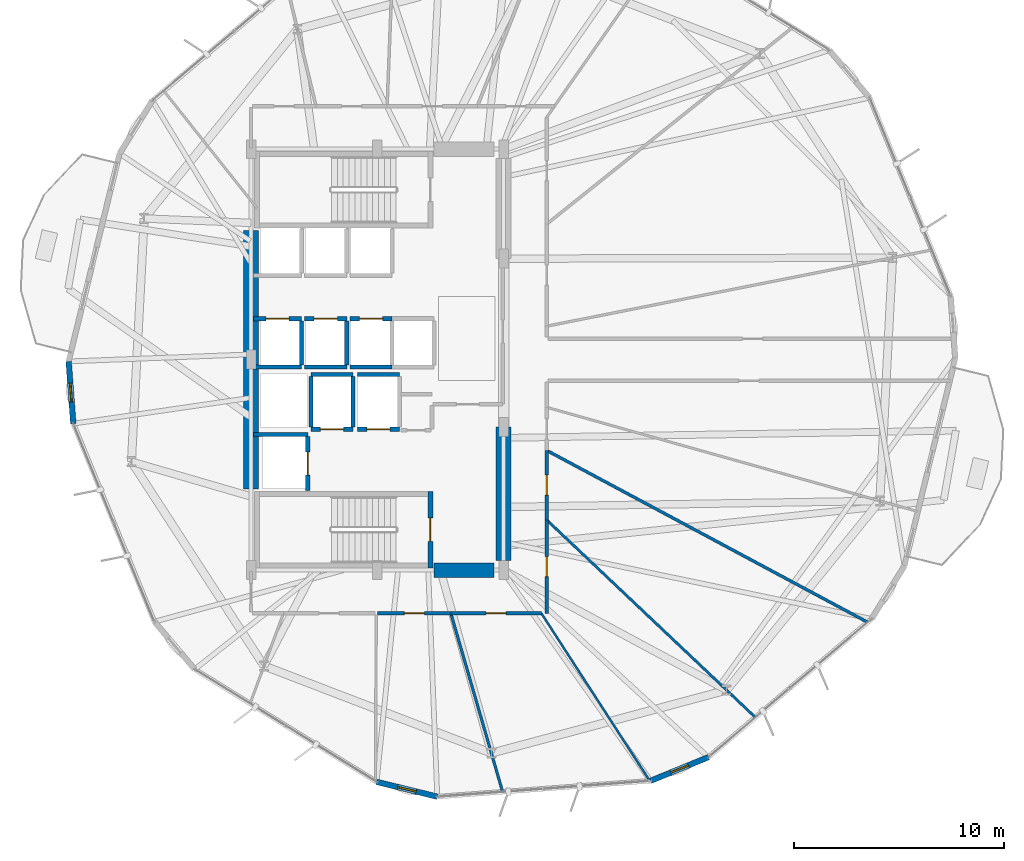
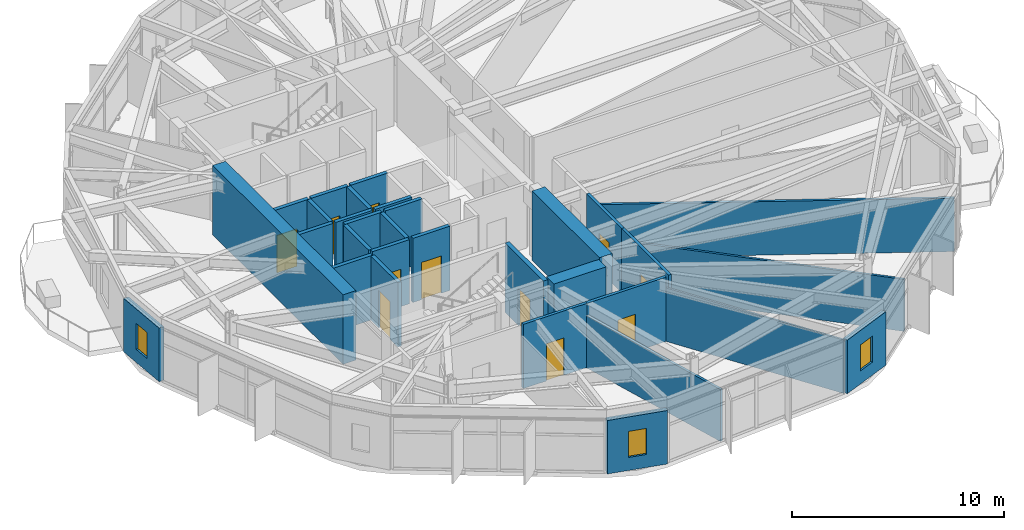
# One storey, part 16 of 22: 31 walls, 11 doors, 3 windows, 14 openings.
"""IFC4 building model written with IfcOpenShell, lengths in metres."""

from ifc_helpers import new_model, si_unit, direction, frame, frame_2d, origin, place, context, subcontext, project, spatial, rectangle, extrude, material, layer, layer_set, type_object, element, fill, save


model = new_model("IFC4")

# Units and contexts
model_context = context("Model", 3, precision=1e-05, world=origin(), true_north=direction((0.0, 1.0)))
body_context = subcontext(model_context, "Body", "Model", "MODEL_VIEW")
ifc_project = project(units=[si_unit("LENGTHUNIT", "METRE"), si_unit("AREAUNIT", "SQUARE_METRE"), si_unit("VOLUMEUNIT", "CUBIC_METRE"), si_unit("PLANEANGLEUNIT", "RADIAN"), si_unit("MASSUNIT", "GRAM", prefix="KILO")], contexts=[model_context])

# Site, building, storey
site_placement = place(None, origin())
site = spatial("IfcSite", under=ifc_project, at=site_placement, CompositionType="ELEMENT")
building_placement = place(site_placement, origin())
building = spatial("IfcBuilding", under=site, at=building_placement, Name="Soratama Intermodal Tower", CompositionType="ELEMENT")
storey_placement = place(building_placement, frame((0.0, 0.0, 46.60009765625)))
storey = spatial("IfcBuildingStorey", under=building, at=storey_placement, Name="L10", CompositionType="ELEMENT", Elevation=46.60009765625)

# Wall, opening, window
ifc_material_1 = material(Name="Concrete f'c 42 MPa", Category="concrete")
ifc_layer_1 = layer(ifc_material_1, 0.27001953125)
ifc_layer_set_1 = layer_set([ifc_layer_1], Name="Concrete f'c 42 MPa")
wall_type_1 = type_object("IfcWallType", Name="EW-CRN-270", PredefinedType="SOLIDWALL", material=ifc_layer_set_1)
wall_1_placement = place(storey_placement, frame((23.93505859375, 24.918212890625, 0.0), z_axis=(0.0, 0.0, 1.0), x_axis=(0.074317313224, -0.997234644883, 0.0)))
wall_1 = element("IfcWall", 1, at=wall_1_placement, inside=storey, type_object=wall_type_1, Name="L10 Corner Closure Wall 05", PredefinedType="SOLIDWALL", context=body_context, shape_type="SweptSolid", body=[
    extrude(rectangle(XDim=2.966552734375, YDim=0.27001953125, at=frame_2d((1.4833984375, 0.0))), origin(), (0.0, 0.0, 1.0), 3.078857421875),
])
opening_1_placement = place(wall_1_placement, frame((1.033203125, 0.0, 0.75)))
opening_1 = element("IfcOpeningElement", 2, at=opening_1_placement, cuts=wall_1, Name="Opening WN-6", PredefinedType="OPENING", context=body_context, shape_type="SweptSolid", body=[
    extrude(rectangle(XDim=0.89990234375, YDim=1.5, at=frame_2d((0.449951171875, 0.75))), frame((0.0, 0.14501953125, 0.0), z_axis=(0.0, -1.0, 0.0), x_axis=(1.0, 0.0, 0.0)), (0.0, 0.0, 1.0), 0.2900390625),
])
ifc_material_2 = material(Name="Double-glazed aluminium window", Category="aluminium")
window_type = type_object("IfcWindowType", Name="WN-FAC-900", PartitioningType="SINGLE_PANEL", PredefinedType="WINDOW", material=ifc_material_2)
window_1_placement = place(opening_1_placement, origin())
window_1 = element("IfcWindow", 3, at=window_1_placement, inside=storey, type_object=window_type, Name="L10 Corner Window 05", OverallHeight=1.5, OverallWidth=0.89990234375, PartitioningType="SINGLE_PANEL", PredefinedType="WINDOW", context=body_context, shape_type="SweptSolid", body=[
    extrude(rectangle(XDim=0.89990234375, YDim=1.5, at=frame_2d((0.449951171875, 0.75))), frame((0.0, 0.030029296875, 0.0), z_axis=(0.0, -1.0, 0.0), x_axis=(1.0, 0.0, 0.0)), (0.0, 0.0, 1.0), 0.06005859375),
])
fill(opening_1, window_1)

wall_2_placement = place(storey_placement, frame((38.568359375, 4.94091796875, 0.0), z_axis=(0.0, 0.0, 1.0), x_axis=(0.971383395834, -0.237516943182, 0.0)))
wall_2 = element("IfcWall", 4, at=wall_2_placement, inside=storey, type_object=wall_type_1, Name="L10 Corner Closure Wall 07", PredefinedType="SOLIDWALL", context=body_context, shape_type="SweptSolid", body=[
    extrude(rectangle(XDim=2.966552734375, YDim=0.27001953125, at=frame_2d((1.4833984375, 0.0))), origin(), (0.0, 0.0, 1.0), 3.078857421875),
])
opening_2_placement = place(wall_2_placement, frame((1.033203125, 0.0, 0.75)))
opening_2 = element("IfcOpeningElement", 5, at=opening_2_placement, cuts=wall_2, Name="Opening WN-6", PredefinedType="OPENING", context=body_context, shape_type="SweptSolid", body=[
    extrude(rectangle(XDim=0.89990234375, YDim=1.5, at=frame_2d((0.449951171875, 0.75))), frame((0.0, 0.14501953125, 0.0), z_axis=(0.0, -1.0, 0.0), x_axis=(1.0, 0.0, 0.0)), (0.0, 0.0, 1.0), 0.2900390625),
])
window_2_placement = place(opening_2_placement, origin())
window_2 = element("IfcWindow", 6, at=window_2_placement, inside=storey, type_object=window_type, Name="L10 Corner Window 07", OverallHeight=1.5, OverallWidth=0.89990234375, PartitioningType="SINGLE_PANEL", PredefinedType="WINDOW", context=body_context, shape_type="SweptSolid", body=[
    extrude(rectangle(XDim=0.89990234375, YDim=1.5, at=frame_2d((0.449951171875, 0.75))), frame((0.0, 0.030029296875, 0.0), z_axis=(0.0, -1.0, 0.0), x_axis=(1.0, 0.0, 0.0)), (0.0, 0.0, 1.0), 0.06005859375),
])
fill(opening_2, window_2)

wall_3_placement = place(storey_placement, frame((51.587158203125, 4.991455078125, 0.0), z_axis=(0.0, 0.0, 1.0), x_axis=(0.925495818017, 0.378757826102, 0.0)))
wall_3 = element("IfcWall", 7, at=wall_3_placement, inside=storey, type_object=wall_type_1, Name="L10 Corner Closure Wall 08", PredefinedType="SOLIDWALL", context=body_context, shape_type="SweptSolid", body=[
    extrude(rectangle(XDim=2.96630859375, YDim=0.27001953125, at=frame_2d((1.483154296875, 0.0))), origin(), (0.0, 0.0, 1.0), 3.078857421875),
])
opening_3_placement = place(wall_3_placement, frame((1.033203125, 0.0, 0.75)))
opening_3 = element("IfcOpeningElement", 8, at=opening_3_placement, cuts=wall_3, Name="Opening WN-6", PredefinedType="OPENING", context=body_context, shape_type="SweptSolid", body=[
    extrude(rectangle(XDim=0.89990234375, YDim=1.5, at=frame_2d((0.449951171875, 0.75))), frame((0.0, 0.14501953125, 0.0), z_axis=(0.0, -1.0, 0.0), x_axis=(1.0, 0.0, 0.0)), (0.0, 0.0, 1.0), 0.2900390625),
])
window_3_placement = place(opening_3_placement, origin())
window_3 = element("IfcWindow", 9, at=window_3_placement, inside=storey, type_object=window_type, Name="L10 Corner Window 08", OverallHeight=1.5, OverallWidth=0.89990234375, PartitioningType="SINGLE_PANEL", PredefinedType="WINDOW", context=body_context, shape_type="SweptSolid", body=[
    extrude(rectangle(XDim=0.89990234375, YDim=1.5, at=frame_2d((0.449951171875, 0.75))), frame((0.0, 0.030029296875, 0.0), z_axis=(0.0, -1.0, 0.0), x_axis=(1.0, 0.0, 0.0)), (0.0, 0.0, 1.0), 0.06005859375),
])
fill(opening_3, window_3)

# Wall, opening, door
ifc_material_3 = material(Name="Fire-rated gypsum stud partition", Category="concrete")
ifc_layer_2 = layer(ifc_material_3, 0.159912109375)
ifc_layer_set_2 = layer_set([ifc_layer_2], Name="Fire-rated gypsum stud partition")
wall_type_2 = type_object("IfcWallType", Name="IW-PART-R160", PredefinedType="PARTITIONING", material=ifc_layer_set_2)
wall_4_placement = place(storey_placement, frame((46.64990234375, 17.385009765625, 0.0), z_axis=(0.0, 0.0, 1.0), x_axis=(0.0, -1.0, 0.0)))
wall_4 = element("IfcWall", 10, at=wall_4_placement, inside=storey, type_object=wall_type_2, Name="L10 Partition W-L10-TP020", PredefinedType="PARTITIONING", context=body_context, shape_type="SweptSolid", body=[
    extrude(rectangle(XDim=4.43505859375, YDim=0.159912109375, at=frame_2d((2.217529296875, 0.0))), origin(), (0.0, 0.0, 1.0), 3.699951171875),
])
opening_4_placement = place(wall_4_placement, frame((1.742919921875, 0.0, 0.0)))
opening_4 = element("IfcOpeningElement", 11, at=opening_4_placement, cuts=wall_4, Name="Opening ID-3", PredefinedType="OPENING", context=body_context, shape_type="SweptSolid", body=[
    extrude(rectangle(XDim=0.949951171875, YDim=2.14990234375, at=frame_2d((0.47509765625, 1.074951171875))), frame((0.0, 0.08984375, 0.0), z_axis=(0.0, -1.0, 0.0), x_axis=(1.0, 0.0, 0.0)), (0.0, 0.0, 1.0), 0.179931640625),
])
ifc_material_4 = material(Name="Solid hardwood acoustic door", Category="wood")
door_type_1 = type_object("IfcDoorType", Name="DR-ROOM-950", OperationType="NOTDEFINED", PredefinedType="DOOR", material=ifc_material_4)
door_1_placement = place(opening_4_placement, origin())
door_1 = element("IfcDoor", 12, at=door_1_placement, inside=storey, type_object=door_type_1, Name="L10 Door D-L10-TP006", OperationType="SINGLE_SWING_LEFT", OverallHeight=2.14990234375, OverallWidth=0.949951171875, PredefinedType="DOOR", context=body_context, shape_type="SweptSolid", body=[
    extrude(rectangle(XDim=0.949951171875, YDim=2.14990234375, at=frame_2d((0.47509765625, 1.074951171875))), frame((0.0, 0.02490234375, 0.0), z_axis=(0.0, -1.0, 0.0), x_axis=(1.0, 0.0, 0.0)), (0.0, 0.0, 1.0), 0.050048828125),
])
fill(opening_4, door_1)

wall_5_placement = place(storey_placement, frame((46.39501953125, 12.949951171875, 0.0), z_axis=(0.0, 0.0, 1.0), x_axis=(-1.0, 0.0, 0.0)))
wall_5 = element("IfcWall", 13, at=wall_5_placement, inside=storey, type_object=wall_type_2, Name="L10 Partition W-L10-TP022", PredefinedType="PARTITIONING", context=body_context, shape_type="SweptSolid", body=[
    extrude(rectangle(XDim=4.301025390625, YDim=0.159912109375, at=frame_2d((2.150390625, 0.0))), origin(), (0.0, 0.0, 1.0), 3.699951171875),
])
opening_5_placement = place(wall_5_placement, frame((1.676025390625, 0.0, 0.0)))
opening_5 = element("IfcOpeningElement", 14, at=opening_5_placement, cuts=wall_5, Name="Opening ID-3", PredefinedType="OPENING", context=body_context, shape_type="SweptSolid", body=[
    extrude(rectangle(XDim=0.949951171875, YDim=2.14990234375, at=frame_2d((0.47509765625, 1.074951171875))), frame((0.0, 0.08984375, 0.0), z_axis=(0.0, -1.0, 0.0), x_axis=(1.0, 0.0, 0.0)), (0.0, 0.0, 1.0), 0.179931640625),
])
door_2_placement = place(opening_5_placement, origin())
door_2 = element("IfcDoor", 15, at=door_2_placement, inside=storey, type_object=door_type_1, Name="L10 Door D-L10-TP008", OperationType="SINGLE_SWING_LEFT", OverallHeight=2.14990234375, OverallWidth=0.949951171875, PredefinedType="DOOR", context=body_context, shape_type="SweptSolid", body=[
    extrude(rectangle(XDim=0.949951171875, YDim=2.14990234375, at=frame_2d((0.47509765625, 1.074951171875))), frame((0.0, 0.02490234375, 0.0), z_axis=(0.0, -1.0, 0.0), x_axis=(1.0, 0.0, 0.0)), (0.0, 0.0, 1.0), 0.050048828125),
])
fill(opening_5, door_2)

wall_6_placement = place(storey_placement, frame((42.093994140625, 12.949951171875, 0.0), z_axis=(0.0, 0.0, 1.0), x_axis=(-1.0, 0.0, 0.0)))
wall_6 = element("IfcWall", 16, at=wall_6_placement, inside=storey, type_object=wall_type_2, Name="L10 Partition W-L10-TP025", PredefinedType="PARTITIONING", context=body_context, shape_type="SweptSolid", body=[
    extrude(rectangle(XDim=3.47509765625, YDim=0.159912109375, at=frame_2d((1.737548828125, 0.0))), origin(), (0.0, 0.0, 1.0), 3.699951171875),
])
opening_6_placement = place(wall_6_placement, frame((1.262939453125, 0.0, 0.0)))
opening_6 = element("IfcOpeningElement", 17, at=opening_6_placement, cuts=wall_6, Name="Opening ID-3", PredefinedType="OPENING", context=body_context, shape_type="SweptSolid", body=[
    extrude(rectangle(XDim=0.949951171875, YDim=2.14990234375, at=frame_2d((0.47509765625, 1.074951171875))), frame((0.0, 0.08984375, 0.0), z_axis=(0.0, -1.0, 0.0), x_axis=(1.0, 0.0, 0.0)), (0.0, 0.0, 1.0), 0.179931640625),
])
door_3_placement = place(opening_6_placement, origin())
door_3 = element("IfcDoor", 18, at=door_3_placement, inside=storey, type_object=door_type_1, Name="L10 Door D-L10-TP011", OperationType="SINGLE_SWING_RIGHT", OverallHeight=2.14990234375, OverallWidth=0.949951171875, PredefinedType="DOOR", context=body_context, shape_type="SweptSolid", body=[
    extrude(rectangle(XDim=0.949951171875, YDim=2.14990234375, at=frame_2d((0.47509765625, 1.074951171875))), frame((0.0, 0.02490234375, 0.0), z_axis=(0.0, -1.0, 0.0), x_axis=(1.0, 0.0, 0.0)), (0.0, 0.0, 1.0), 0.050048828125),
])
fill(opening_6, door_3)

wall_7_placement = place(storey_placement, frame((46.64990234375, 20.68896484375, 0.0), z_axis=(0.0, 0.0, 1.0), x_axis=(0.0, -1.0, 0.0)))
wall_7 = element("IfcWall", 19, at=wall_7_placement, inside=storey, type_object=wall_type_2, Name="L10 Partition W-L10-TP028", PredefinedType="PARTITIONING", context=body_context, shape_type="SweptSolid", body=[
    extrude(rectangle(XDim=3.303955078125, YDim=0.159912109375, at=frame_2d((1.65185546875, 0.0))), origin(), (0.0, 0.0, 1.0), 3.699951171875),
])
opening_7_placement = place(wall_7_placement, frame((1.177001953125, 0.0, 0.0)))
opening_7 = element("IfcOpeningElement", 20, at=opening_7_placement, cuts=wall_7, Name="Opening ID-3", PredefinedType="OPENING", context=body_context, shape_type="SweptSolid", body=[
    extrude(rectangle(XDim=0.949951171875, YDim=2.14990234375, at=frame_2d((0.47509765625, 1.074951171875))), frame((0.0, 0.08984375, 0.0), z_axis=(0.0, -1.0, 0.0), x_axis=(1.0, 0.0, 0.0)), (0.0, 0.0, 1.0), 0.179931640625),
])
door_4_placement = place(opening_7_placement, origin())
door_4 = element("IfcDoor", 21, at=door_4_placement, inside=storey, type_object=door_type_1, Name="L10 Door D-L10-TP014", OperationType="SINGLE_SWING_LEFT", OverallHeight=2.14990234375, OverallWidth=0.949951171875, PredefinedType="DOOR", context=body_context, shape_type="SweptSolid", body=[
    extrude(rectangle(XDim=0.949951171875, YDim=2.14990234375, at=frame_2d((0.47509765625, 1.074951171875))), frame((0.0, 0.02490234375, 0.0), z_axis=(0.0, -1.0, 0.0), x_axis=(1.0, 0.0, 0.0)), (0.0, 0.0, 1.0), 0.050048828125),
])
fill(opening_7, door_4)

# Walls
ifc_material_5 = material(Name="Fire-rated gypsum stud partition", Category="concrete")
ifc_layer_3 = layer(ifc_material_5, 0.10009765625)
ifc_layer_set_3 = layer_set([ifc_layer_3], Name="Fire-rated gypsum stud partition")
wall_type_3 = type_object("IfcWallType", Name="IW-PART-S100", PredefinedType="PARTITIONING", material=ifc_layer_set_3)
wall_8_placement = place(storey_placement, frame((46.39501953125, 12.949951171875, 0.0), z_axis=(0.0, 0.0, 1.0), x_axis=(0.543180821192, -0.839615742759, 0.0)))
element("IfcWall", 22, at=wall_8_placement, inside=storey, type_object=wall_type_3, Name="L10 Partition W-L10-TP009", PredefinedType="PARTITIONING", context=body_context, shape_type="SweptSolid", body=[
    extrude(rectangle(XDim=9.48291015625, YDim=0.10009765625, at=frame_2d((4.741455078125, 0.0))), origin(), (0.0, 0.0, 1.0), 3.077880859375),
])
ifc_material_6 = material(Name="Fire-rated gypsum stud partition", Category="concrete")
ifc_layer_4 = layer(ifc_material_6, 0.1201171875)
ifc_layer_set_4 = layer_set([ifc_layer_4], Name="Fire-rated gypsum stud partition")
wall_type_4 = type_object("IfcWallType", Name="IW-PART-S120", PredefinedType="PARTITIONING", material=ifc_layer_set_4)
wall_9_placement = place(storey_placement, frame((46.64990234375, 17.385009765625, 0.0), z_axis=(0.0, 0.0, 1.0), x_axis=(0.726430524731, -0.687239909157, 0.0)))
element("IfcWall", 23, at=wall_9_placement, inside=storey, type_object=wall_type_4, Name="L10 Partition W-L10-TP007", PredefinedType="PARTITIONING", context=body_context, shape_type="SweptSolid", body=[
    extrude(rectangle(XDim=13.64892578125, YDim=0.1201171875, at=frame_2d((6.824462890625, 0.0))), origin(), (0.0, 0.0, 1.0), 2.994873046875),
])
ifc_material_7 = material(Name="Fire-rated gypsum stud partition", Category="concrete")
ifc_layer_5 = layer(ifc_material_7, 0.1298828125)
ifc_layer_set_5 = layer_set([ifc_layer_5], Name="Fire-rated gypsum stud partition")
wall_type_5 = type_object("IfcWallType", Name="IW-PART-S130", PredefinedType="PARTITIONING", material=ifc_layer_set_5)
wall_10_placement = place(storey_placement, frame((42.093994140625, 12.949951171875, 0.0), z_axis=(0.0, 0.0, 1.0), x_axis=(0.27851578119, -0.960431652762, 0.0)))
element("IfcWall", 24, at=wall_10_placement, inside=storey, type_object=wall_type_5, Name="L10 Partition W-L10-TP011", PredefinedType="PARTITIONING", context=body_context, shape_type="SweptSolid", body=[
    extrude(rectangle(XDim=8.832275390625, YDim=0.1298828125, at=frame_2d((4.416015625, 0.0))), origin(), (0.0, 0.0, 1.0), 2.994873046875),
])
ifc_material_8 = material(Name="Fire-rated gypsum stud partition", Category="concrete")
ifc_layer_6 = layer(ifc_material_8, 0.139892578125)
ifc_layer_set_6 = layer_set([ifc_layer_6], Name="Fire-rated gypsum stud partition")
wall_type_6 = type_object("IfcWallType", Name="IW-PART-S140", PredefinedType="PARTITIONING", material=ifc_layer_set_6)
wall_11_placement = place(storey_placement, frame((46.64990234375, 20.68896484375, 0.0), z_axis=(0.0, 0.0, 1.0), x_axis=(0.881590728291, -0.472014605484, 0.0)))
element("IfcWall", 25, at=wall_11_placement, inside=storey, type_object=wall_type_6, Name="L10 Partition W-L10-TP005", PredefinedType="PARTITIONING", context=body_context, shape_type="SweptSolid", body=[
    extrude(rectangle(XDim=17.29833984375, YDim=0.139892578125, at=frame_2d((8.649169921875, 0.0))), origin(), (0.0, 0.0, 1.0), 3.077880859375),
])

# Wall, opening, door
ifc_material_9 = material(Name="Concrete f'c 42 MPa", Category="concrete")
ifc_layer_7 = layer(ifc_material_9, 0.199951171875)
ifc_layer_set_7 = layer_set([ifc_layer_7], Name="Concrete f'c 42 MPa")
wall_type_7 = type_object("IfcWallType", Name="IW-SHAFT-200", PredefinedType="SOLIDWALL", material=ifc_layer_set_7)
wall_12_placement = place(storey_placement, frame((35.449951171875, 21.699951171875, 0.0), z_axis=(0.0, 0.0, 1.0), x_axis=(1.0, 0.0, 0.0)))
wall_12 = element("IfcWall", 26, at=wall_12_placement, inside=storey, type_object=wall_type_7, Name="L10 FFL-1 Hoistway Wall S", PredefinedType="SOLIDWALL", context=body_context, shape_type="SweptSolid", body=[
    extrude(rectangle(XDim=2.0, YDim=0.199951171875, at=frame_2d((1.0, 0.0))), origin(), (0.0, 0.0, 1.0), 3.699951171875),
])
opening_8_placement = place(wall_12_placement, frame((0.449951171875, 0.0, 0.0)))
opening_8 = element("IfcOpeningElement", 27, at=opening_8_placement, cuts=wall_12, Name="Opening LD-1", PredefinedType="OPENING", context=body_context, shape_type="SweptSolid", body=[
    extrude(rectangle(XDim=1.10009765625, YDim=2.14990234375, at=frame_2d((0.550048828125, 1.074951171875))), frame((0.0, 0.10986328125, 0.0), z_axis=(0.0, -1.0, 0.0), x_axis=(1.0, 0.0, 0.0)), (0.0, 0.0, 1.0), 0.219970703125),
])
ifc_material_10 = material(Name="Steel fire door", Category="steel")
door_type_2 = type_object("IfcDoorType", Name="DR-LIFT-SLIDE", OperationType="NOTDEFINED", PredefinedType="DOOR", material=ifc_material_10)
door_5_placement = place(opening_8_placement, origin())
door_5 = element("IfcDoor", 28, at=door_5_placement, inside=storey, type_object=door_type_2, Name="L10 FFL-1 Sliding Landing Door", OperationType="SLIDING_TO_LEFT", OverallHeight=2.14990234375, OverallWidth=1.10009765625, PredefinedType="DOOR", context=body_context, shape_type="SweptSolid", body=[
    extrude(rectangle(XDim=1.10009765625, YDim=2.14990234375, at=frame_2d((0.550048828125, 1.074951171875))), frame((0.0, 0.02490234375, 0.0), z_axis=(0.0, -1.0, 0.0), x_axis=(1.0, 0.0, 0.0)), (0.0, 0.0, 1.0), 0.050048828125),
])
fill(opening_8, door_5)

# Walls
wall_13_placement = place(storey_placement, frame((35.449951171875, 24.300048828125, 0.0), z_axis=(0.0, 0.0, 1.0), x_axis=(1.0, 0.0, 0.0)))
element("IfcWall", 29, at=wall_13_placement, inside=storey, type_object=wall_type_7, Name="L10 FFL-1 Hoistway Wall N", PredefinedType="SOLIDWALL", context=body_context, shape_type="SweptSolid", body=[
    extrude(rectangle(XDim=2.0, YDim=0.199951171875, at=frame_2d((1.0, 0.0))), origin(), (0.0, 0.0, 1.0), 3.699951171875),
])
for number, where, z_axis, x_axis, name in (
    (30, (35.449951171875, 21.81005859375, 0.0), (0.0, 0.0, 1.0), (0.0, 1.0, 0.0), "L10 FFL-1 Hoistway Wall W"),
    (31, (37.449951171875, 21.81005859375, 0.0), (0.0, 0.0, 1.0), (0.0, 1.0, 0.0), "L10 FFL-1 Hoistway Wall E"),
):
    element("IfcWall", number, at=place(storey_placement, frame(where, z_axis=z_axis, x_axis=x_axis)), inside=storey, type_object=wall_type_7, Name=name, PredefinedType="SOLIDWALL", context=body_context, shape_type="SweptSolid", body=[
        extrude(rectangle(XDim=2.3798828125, YDim=0.199951171875, at=frame_2d((1.18994140625, 0.0))), origin(), (0.0, 0.0, 1.0), 3.699951171875),
    ])

# Wall, opening, door
wall_14_placement = place(storey_placement, frame((37.64990234375, 21.699951171875, 0.0), z_axis=(0.0, 0.0, 1.0), x_axis=(1.0, 0.0, 0.0)))
wall_14 = element("IfcWall", 32, at=wall_14_placement, inside=storey, type_object=wall_type_7, Name="L10 FFL-2 Hoistway Wall S", PredefinedType="SOLIDWALL", context=body_context, shape_type="SweptSolid", body=[
    extrude(rectangle(XDim=2.0, YDim=0.199951171875, at=frame_2d((1.0, 0.0))), origin(), (0.0, 0.0, 1.0), 3.699951171875),
])
opening_9_placement = place(wall_14_placement, frame((0.449951171875, 0.0, 0.0)))
opening_9 = element("IfcOpeningElement", 33, at=opening_9_placement, cuts=wall_14, Name="Opening LD-1", PredefinedType="OPENING", context=body_context, shape_type="SweptSolid", body=[
    extrude(rectangle(XDim=1.10009765625, YDim=2.14990234375, at=frame_2d((0.550048828125, 1.074951171875))), frame((0.0, 0.10986328125, 0.0), z_axis=(0.0, -1.0, 0.0), x_axis=(1.0, 0.0, 0.0)), (0.0, 0.0, 1.0), 0.219970703125),
])
door_6_placement = place(opening_9_placement, origin())
door_6 = element("IfcDoor", 34, at=door_6_placement, inside=storey, type_object=door_type_2, Name="L10 FFL-2 Sliding Landing Door", OperationType="SLIDING_TO_LEFT", OverallHeight=2.14990234375, OverallWidth=1.10009765625, PredefinedType="DOOR", context=body_context, shape_type="SweptSolid", body=[
    extrude(rectangle(XDim=1.10009765625, YDim=2.14990234375, at=frame_2d((0.550048828125, 1.074951171875))), frame((0.0, 0.02490234375, 0.0), z_axis=(0.0, -1.0, 0.0), x_axis=(1.0, 0.0, 0.0)), (0.0, 0.0, 1.0), 0.050048828125),
])
fill(opening_9, door_6)

# Walls
wall_15_placement = place(storey_placement, frame((37.64990234375, 24.300048828125, 0.0), z_axis=(0.0, 0.0, 1.0), x_axis=(1.0, 0.0, 0.0)))
element("IfcWall", 35, at=wall_15_placement, inside=storey, type_object=wall_type_7, Name="L10 FFL-2 Hoistway Wall N", PredefinedType="SOLIDWALL", context=body_context, shape_type="SweptSolid", body=[
    extrude(rectangle(XDim=2.0, YDim=0.199951171875, at=frame_2d((1.0, 0.0))), origin(), (0.0, 0.0, 1.0), 3.699951171875),
])
wall_16_placement = place(storey_placement, frame((32.719970703125, 21.449951171875, 0.0), z_axis=(0.0, 0.0, 1.0), x_axis=(1.0, 0.0, 0.0)))
element("IfcWall", 36, at=wall_16_placement, inside=storey, type_object=wall_type_7, Name="L10 SVL-1 Hoistway Wall N", PredefinedType="SOLIDWALL", context=body_context, shape_type="SweptSolid", body=[
    extrude(rectangle(XDim=2.580078125, YDim=0.199951171875, at=frame_2d((1.2900390625, 0.0))), origin(), (0.0, 0.0, 1.0), 3.699951171875),
])

# Wall, opening, door
wall_17_placement = place(storey_placement, frame((35.300048828125, 18.7900390625, 0.0), z_axis=(0.0, 0.0, 1.0), x_axis=(0.0, 1.0, 0.0)))
wall_17 = element("IfcWall", 37, at=wall_17_placement, inside=storey, type_object=wall_type_7, Name="L10 SVL-1 Hoistway Wall E", PredefinedType="SOLIDWALL", context=body_context, shape_type="SweptSolid", body=[
    extrude(rectangle(XDim=2.550048828125, YDim=0.199951171875, at=frame_2d((1.27490234375, 0.0))), origin(), (0.0, 0.0, 1.0), 3.699951171875),
])
opening_10_placement = place(wall_17_placement, frame((0.72509765625, 0.0, 0.0)))
opening_10 = element("IfcOpeningElement", 38, at=opening_10_placement, cuts=wall_17, Name="Opening LD-1", PredefinedType="OPENING", context=body_context, shape_type="SweptSolid", body=[
    extrude(rectangle(XDim=1.10009765625, YDim=2.14990234375, at=frame_2d((0.550048828125, 1.074951171875))), frame((0.0, 0.10986328125, 0.0), z_axis=(0.0, -1.0, 0.0), x_axis=(1.0, 0.0, 0.0)), (0.0, 0.0, 1.0), 0.219970703125),
])
door_7_placement = place(opening_10_placement, origin())
door_7 = element("IfcDoor", 39, at=door_7_placement, inside=storey, type_object=door_type_2, Name="L10 SVL-1 Sliding Landing Door", OperationType="SLIDING_TO_LEFT", OverallHeight=2.14990234375, OverallWidth=1.10009765625, PredefinedType="DOOR", context=body_context, shape_type="SweptSolid", body=[
    extrude(rectangle(XDim=1.10009765625, YDim=2.14990234375, at=frame_2d((0.550048828125, 1.074951171875))), frame((0.0, 0.02490234375, 0.0), z_axis=(0.0, -1.0, 0.0), x_axis=(1.0, 0.0, 0.0)), (0.0, 0.0, 1.0), 0.050048828125),
])
fill(opening_10, door_7)

# Wall
wall_18_placement = place(storey_placement, frame((32.719970703125, 24.64990234375, 0.0), z_axis=(0.0, 0.0, 1.0), x_axis=(1.0, 0.0, 0.0)))
element("IfcWall", 40, at=wall_18_placement, inside=storey, type_object=wall_type_7, Name="L10 PL-L1 Hoistway Wall S", PredefinedType="SOLIDWALL", context=body_context, shape_type="SweptSolid", body=[
    extrude(rectangle(XDim=2.280029296875, YDim=0.199951171875, at=frame_2d((1.14013671875, 0.0))), origin(), (0.0, 0.0, 1.0), 3.699951171875),
])

# Wall, opening, door
wall_19_placement = place(storey_placement, frame((32.719970703125, 26.949951171875, 0.0), z_axis=(0.0, 0.0, 1.0), x_axis=(1.0, 0.0, 0.0)))
wall_19 = element("IfcWall", 41, at=wall_19_placement, inside=storey, type_object=wall_type_7, Name="L10 PL-L1 Hoistway Wall N", PredefinedType="SOLIDWALL", context=body_context, shape_type="SweptSolid", body=[
    extrude(rectangle(XDim=2.280029296875, YDim=0.199951171875, at=frame_2d((1.14013671875, 0.0))), origin(), (0.0, 0.0, 1.0), 3.699951171875),
])
opening_11_placement = place(wall_19_placement, frame((0.590087890625, 0.0, 0.0)))
opening_11 = element("IfcOpeningElement", 42, at=opening_11_placement, cuts=wall_19, Name="Opening LD-1", PredefinedType="OPENING", context=body_context, shape_type="SweptSolid", body=[
    extrude(rectangle(XDim=1.10009765625, YDim=2.14990234375, at=frame_2d((0.550048828125, 1.074951171875))), frame((0.0, 0.10986328125, 0.0), z_axis=(0.0, -1.0, 0.0), x_axis=(1.0, 0.0, 0.0)), (0.0, 0.0, 1.0), 0.219970703125),
])
door_8_placement = place(opening_11_placement, origin())
door_8 = element("IfcDoor", 43, at=door_8_placement, inside=storey, type_object=door_type_2, Name="L10 PL-L1 Sliding Landing Door", OperationType="SLIDING_TO_LEFT", OverallHeight=2.14990234375, OverallWidth=1.10009765625, PredefinedType="DOOR", context=body_context, shape_type="SweptSolid", body=[
    extrude(rectangle(XDim=1.10009765625, YDim=2.14990234375, at=frame_2d((0.550048828125, 1.074951171875))), frame((0.0, 0.02490234375, 0.0), z_axis=(0.0, -1.0, 0.0), x_axis=(1.0, 0.0, 0.0)), (0.0, 0.0, 1.0), 0.050048828125),
])
fill(opening_11, door_8)

# Walls
wall_20_placement = place(storey_placement, frame((35.0, 24.760009765625, 0.0), z_axis=(0.0, 0.0, 1.0), x_axis=(0.0, 1.0, 0.0)))
element("IfcWall", 44, at=wall_20_placement, inside=storey, type_object=wall_type_7, Name="L10 PL-L1 Hoistway Wall E", PredefinedType="SOLIDWALL", context=body_context, shape_type="SweptSolid", body=[
    extrude(rectangle(XDim=2.080078125, YDim=0.199951171875, at=frame_2d((1.0400390625, 0.0))), origin(), (0.0, 0.0, 1.0), 3.699951171875),
])
wall_21_placement = place(storey_placement, frame((35.14990234375, 24.64990234375, 0.0), z_axis=(0.0, 0.0, 1.0), x_axis=(1.0, 0.0, 0.0)))
element("IfcWall", 45, at=wall_21_placement, inside=storey, type_object=wall_type_7, Name="L10 PL-L2 Hoistway Wall S", PredefinedType="SOLIDWALL", context=body_context, shape_type="SweptSolid", body=[
    extrude(rectangle(XDim=2.0, YDim=0.199951171875, at=frame_2d((1.0, 0.0))), origin(), (0.0, 0.0, 1.0), 3.699951171875),
])

# Wall, opening, door
wall_22_placement = place(storey_placement, frame((35.14990234375, 26.949951171875, 0.0), z_axis=(0.0, 0.0, 1.0), x_axis=(1.0, 0.0, 0.0)))
wall_22 = element("IfcWall", 46, at=wall_22_placement, inside=storey, type_object=wall_type_7, Name="L10 PL-L2 Hoistway Wall N", PredefinedType="SOLIDWALL", context=body_context, shape_type="SweptSolid", body=[
    extrude(rectangle(XDim=2.0, YDim=0.199951171875, at=frame_2d((1.0, 0.0))), origin(), (0.0, 0.0, 1.0), 3.699951171875),
])
opening_12_placement = place(wall_22_placement, frame((0.449951171875, 0.0, 0.0)))
opening_12 = element("IfcOpeningElement", 47, at=opening_12_placement, cuts=wall_22, Name="Opening LD-1", PredefinedType="OPENING", context=body_context, shape_type="SweptSolid", body=[
    extrude(rectangle(XDim=1.10009765625, YDim=2.14990234375, at=frame_2d((0.550048828125, 1.074951171875))), frame((0.0, 0.10986328125, 0.0), z_axis=(0.0, -1.0, 0.0), x_axis=(1.0, 0.0, 0.0)), (0.0, 0.0, 1.0), 0.219970703125),
])
door_9_placement = place(opening_12_placement, origin())
door_9 = element("IfcDoor", 48, at=door_9_placement, inside=storey, type_object=door_type_2, Name="L10 PL-L2 Sliding Landing Door", OperationType="SLIDING_TO_LEFT", OverallHeight=2.14990234375, OverallWidth=1.10009765625, PredefinedType="DOOR", context=body_context, shape_type="SweptSolid", body=[
    extrude(rectangle(XDim=1.10009765625, YDim=2.14990234375, at=frame_2d((0.550048828125, 1.074951171875))), frame((0.0, 0.02490234375, 0.0), z_axis=(0.0, -1.0, 0.0), x_axis=(1.0, 0.0, 0.0)), (0.0, 0.0, 1.0), 0.050048828125),
])
fill(opening_12, door_9)

# Walls
wall_23_placement = place(storey_placement, frame((37.14990234375, 24.760009765625, 0.0), z_axis=(0.0, 0.0, 1.0), x_axis=(0.0, 1.0, 0.0)))
element("IfcWall", 49, at=wall_23_placement, inside=storey, type_object=wall_type_7, Name="L10 PL-L2 Hoistway Wall E", PredefinedType="SOLIDWALL", context=body_context, shape_type="SweptSolid", body=[
    extrude(rectangle(XDim=2.080078125, YDim=0.199951171875, at=frame_2d((1.0400390625, 0.0))), origin(), (0.0, 0.0, 1.0), 3.699951171875),
])
wall_24_placement = place(storey_placement, frame((37.300048828125, 24.64990234375, 0.0), z_axis=(0.0, 0.0, 1.0), x_axis=(1.0, 0.0, 0.0)))
element("IfcWall", 50, at=wall_24_placement, inside=storey, type_object=wall_type_7, Name="L10 PL-L3 Hoistway Wall S", PredefinedType="SOLIDWALL", context=body_context, shape_type="SweptSolid", body=[
    extrude(rectangle(XDim=2.0, YDim=0.199951171875, at=frame_2d((1.0, 0.0))), origin(), (0.0, 0.0, 1.0), 3.699951171875),
])

# Wall, opening, door
wall_25_placement = place(storey_placement, frame((37.300048828125, 26.949951171875, 0.0), z_axis=(0.0, 0.0, 1.0), x_axis=(1.0, 0.0, 0.0)))
wall_25 = element("IfcWall", 51, at=wall_25_placement, inside=storey, type_object=wall_type_7, Name="L10 PL-L3 Hoistway Wall N", PredefinedType="SOLIDWALL", context=body_context, shape_type="SweptSolid", body=[
    extrude(rectangle(XDim=2.0, YDim=0.199951171875, at=frame_2d((1.0, 0.0))), origin(), (0.0, 0.0, 1.0), 3.699951171875),
])
opening_13_placement = place(wall_25_placement, frame((0.449951171875, 0.0, 0.0)))
opening_13 = element("IfcOpeningElement", 52, at=opening_13_placement, cuts=wall_25, Name="Opening LD-1", PredefinedType="OPENING", context=body_context, shape_type="SweptSolid", body=[
    extrude(rectangle(XDim=1.10009765625, YDim=2.14990234375, at=frame_2d((0.550048828125, 1.074951171875))), frame((0.0, 0.10986328125, 0.0), z_axis=(0.0, -1.0, 0.0), x_axis=(1.0, 0.0, 0.0)), (0.0, 0.0, 1.0), 0.219970703125),
])
door_10_placement = place(opening_13_placement, origin())
door_10 = element("IfcDoor", 53, at=door_10_placement, inside=storey, type_object=door_type_2, Name="L10 PL-L3 Sliding Landing Door", OperationType="SLIDING_TO_LEFT", OverallHeight=2.14990234375, OverallWidth=1.10009765625, PredefinedType="DOOR", context=body_context, shape_type="SweptSolid", body=[
    extrude(rectangle(XDim=1.10009765625, YDim=2.14990234375, at=frame_2d((0.550048828125, 1.074951171875))), frame((0.0, 0.02490234375, 0.0), z_axis=(0.0, -1.0, 0.0), x_axis=(1.0, 0.0, 0.0)), (0.0, 0.0, 1.0), 0.050048828125),
])
fill(opening_13, door_10)

# Walls
ifc_material_11 = material(Name="Concrete f'c 56 MPa", Category="concrete")
ifc_layer_8 = layer(ifc_material_11, 0.699951171875)
ifc_layer_set_8 = layer_set([ifc_layer_8], Name="Concrete f'c 56 MPa")
wall_type_8 = type_object("IfcWallType", Name="SW-CORE-700", PredefinedType="SHEAR", material=ifc_layer_set_8)
wall_26_placement = place(storey_placement, frame((32.60009765625, 18.85009765625, 0.0), z_axis=(0.0, 0.0, 1.0), x_axis=(0.0, 1.0, 0.0)))
element("IfcWall", 54, at=wall_26_placement, inside=storey, type_object=wall_type_8, Name="L10 Core Shear Wall CW-WMID", PredefinedType="SHEAR", context=body_context, shape_type="SweptSolid", body=[
    extrude(rectangle(XDim=12.2998046875, YDim=0.699951171875, at=frame_2d((6.14990234375, 0.0))), origin(), (0.0, 0.0, 1.0), 4.0),
])
wall_27_placement = place(storey_placement, frame((41.300048828125, 15.0, 0.0), z_axis=(0.0, 0.0, 1.0), x_axis=(1.0, 0.0, 0.0)))
element("IfcWall", 55, at=wall_27_placement, inside=storey, type_object=wall_type_8, Name="L10 Core Shear Wall CW-SE", PredefinedType="SHEAR", context=body_context, shape_type="SweptSolid", body=[
    extrude(rectangle(XDim=2.849853515625, YDim=0.699951171875, at=frame_2d((1.4248046875, 0.0))), origin(), (0.0, 0.0, 1.0), 4.0),
])
wall_28_placement = place(storey_placement, frame((44.60009765625, 15.449951171875, 0.0), z_axis=(0.0, 0.0, 1.0), x_axis=(0.0, 1.0, 0.0)))
element("IfcWall", 56, at=wall_28_placement, inside=storey, type_object=wall_type_8, Name="L10 Core Shear Wall CW-ES", PredefinedType="SHEAR", context=body_context, shape_type="SweptSolid", body=[
    extrude(rectangle(XDim=6.35009765625, YDim=0.699951171875, at=frame_2d((3.175048828125, 0.0))), origin(), (0.0, 0.0, 1.0), 4.0),
])

# Wall, opening, door
ifc_material_12 = material(Name="Concrete f'c 56 MPa", Category="concrete")
ifc_layer_9 = layer(ifc_material_12, 0.239990234375)
ifc_layer_set_9 = layer_set([ifc_layer_9], Name="Concrete f'c 56 MPa")
wall_type_9 = type_object("IfcWallType", Name="SW-STAIR-240", PredefinedType="SHEAR", material=ifc_layer_set_9)
wall_29_placement = place(storey_placement, frame((41.1201171875, 15.110107421875, 0.0), z_axis=(0.0, 0.0, 1.0), x_axis=(0.0, 1.0, 0.0)))
wall_29 = element("IfcWall", 57, at=wall_29_placement, inside=storey, type_object=wall_type_9, Name="L10 ST-1 Shaft Shear Wall E", PredefinedType="SHEAR", context=body_context, shape_type="SweptSolid", body=[
    extrude(rectangle(XDim=3.6298828125, YDim=0.239990234375, at=frame_2d((1.81494140625, 0.0))), origin(), (0.0, 0.0, 1.0), 4.0),
])
opening_14_placement = place(wall_29_placement, frame((1.2548828125, 0.0, 0.0)))
opening_14 = element("IfcOpeningElement", 58, at=opening_14_placement, cuts=wall_29, Name="Opening SD-1", PredefinedType="OPENING", context=body_context, shape_type="SweptSolid", body=[
    extrude(rectangle(XDim=1.1201171875, YDim=2.14990234375, at=frame_2d((0.56005859375, 1.074951171875))), frame((0.0, 0.1298828125, 0.0), z_axis=(0.0, -1.0, 0.0), x_axis=(1.0, 0.0, 0.0)), (0.0, 0.0, 1.0), 0.260009765625),
])
ifc_material_13 = material(Name="Steel fire door", Category="steel")
door_type_3 = type_object("IfcDoorType", Name="DR-STAIR-FD90", OperationType="NOTDEFINED", PredefinedType="DOOR", material=ifc_material_13)
door_11_placement = place(opening_14_placement, origin())
door_11 = element("IfcDoor", 59, at=door_11_placement, inside=storey, type_object=door_type_3, Name="L10 ST-1 Exit Stair Door", OperationType="SINGLE_SWING_LEFT", OverallHeight=2.14990234375, OverallWidth=1.1201171875, PredefinedType="DOOR", context=body_context, shape_type="SweptSolid", body=[
    extrude(rectangle(XDim=1.1201171875, YDim=2.14990234375, at=frame_2d((0.56005859375, 1.074951171875))), frame((0.0, 0.02490234375, 0.0), z_axis=(0.0, -1.0, 0.0), x_axis=(1.0, 0.0, 0.0)), (0.0, 0.0, 1.0), 0.050048828125),
])
fill(opening_14, door_11)

save(model, "model.ifc")
